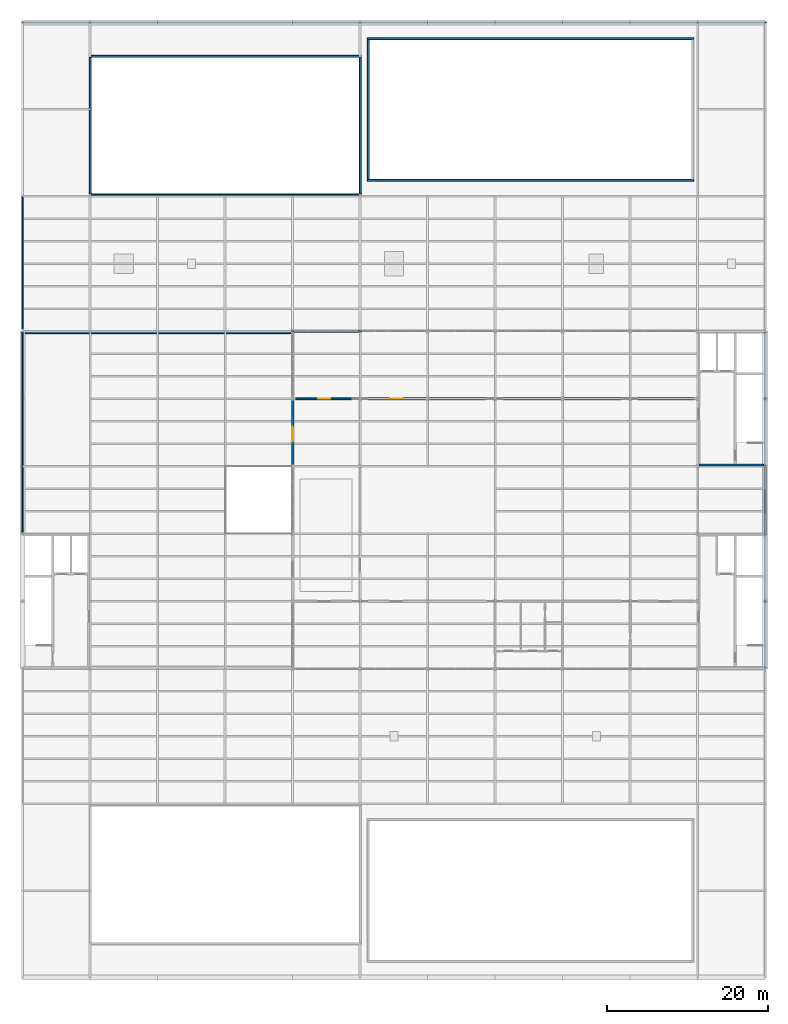
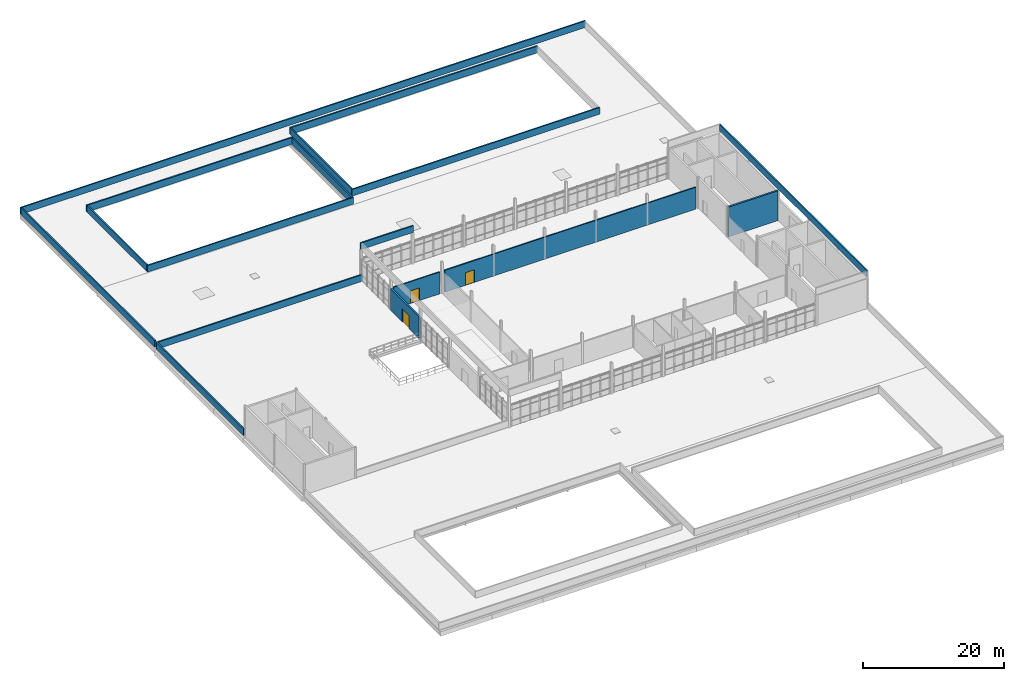
# One storey, part 31 of 33: 17 walls, 3 doors, 3 openings.
"""IFC4 building model written with IfcOpenShell, lengths in metres."""

from ifc_helpers import new_model, si_unit, direction, frame, frame_2d, origin, place, context, subcontext, project, spatial, rectangle, extrude, material, layer, layer_set, type_object, element, fill, save


model = new_model("IFC4")

# Units and contexts
model_context = context("Model", 3, precision=1e-05, world=origin(), true_north=direction((0.0, 1.0)))
body_context = subcontext(model_context, "Body", "Model", "MODEL_VIEW")
ifc_project = project(units=[si_unit("LENGTHUNIT", "METRE"), si_unit("AREAUNIT", "SQUARE_METRE"), si_unit("VOLUMEUNIT", "CUBIC_METRE"), si_unit("PLANEANGLEUNIT", "RADIAN"), si_unit("MASSUNIT", "GRAM", prefix="KILO"), si_unit("THERMODYNAMICTEMPERATUREUNIT", "KELVIN"), si_unit("POWERUNIT", "WATT")], contexts=[model_context])

# Site, building, storey
site_placement = place(None, origin())
site = spatial("IfcSite", under=ifc_project, at=site_placement, CompositionType="ELEMENT")
building_placement = place(site_placement, origin())
building = spatial("IfcBuilding", under=site, at=building_placement, Name="Tembeka Court Mobility Hub", CompositionType="ELEMENT")
storey_placement = place(building_placement, frame((0.0, 0.0, 23.39990234375)))
storey = spatial("IfcBuildingStorey", under=building, at=storey_placement, Name="L06", CompositionType="ELEMENT", Elevation=23.39990234375)

# Wall, opening, door
ifc_material_1 = material(Name="Precast concrete C45/55", Category="concrete")
ifc_layer_1 = layer(ifc_material_1, 0.280029296875)
ifc_layer_set_1 = layer_set([ifc_layer_1], Name="Precast concrete C45/55")
wall_type_1 = type_object("IfcWallType", Name="WL-EW02", PredefinedType="STANDARD", material=ifc_layer_set_1)
wall_1_placement = place(storey_placement, frame((33.60009765625, 63.758544921875, 0.0), z_axis=(0.0, 0.0, 1.0), x_axis=(0.0, 1.0, 0.0)))
wall_1 = element("IfcWall", 1, at=wall_1_placement, inside=storey, type_object=wall_type_1, Name="External wall EW02 (EW-L06-0110)", PredefinedType="STANDARD", context=body_context, shape_type="SweptSolid", body=[
    extrude(rectangle(XDim=8.0830078125, YDim=0.280029296875, at=frame_2d((4.04150390625, 0.0))), origin(), (0.0, 0.0, 1.0), 3.795166015625),
])
opening_1_placement = place(wall_1_placement, frame((2.89990234375, 0.0, 0.0)))
opening_1 = element("IfcOpeningElement", 2, at=opening_1_placement, cuts=wall_1, Name="Opening ED04", PredefinedType="OPENING", context=body_context, shape_type="SweptSolid", body=[
    extrude(rectangle(XDim=1.85009765625, YDim=2.300048828125, at=frame_2d((0.925048828125, 1.14990234375))), frame((0.0, 0.14990234375, 0.0), z_axis=(0.0, -1.0, 0.0), x_axis=(1.0, 0.0, 0.0)), (0.0, 0.0, 1.0), 0.300048828125),
])
ifc_material_2 = material(Name="Powder-coated aluminium glazed doorset", Category="aluminium")
door_type_1 = type_object("IfcDoorType", Name="DR-ED04", OperationType="NOTDEFINED", PredefinedType="DOOR", material=ifc_material_2)
door_1_placement = place(opening_1_placement, origin())
door_1 = element("IfcDoor", 3, at=door_1_placement, inside=storey, type_object=door_type_1, Name="L06 sports viewing terrace North door ED04-B", OperationType="DOUBLE_DOOR_SINGLE_SWING", OverallHeight=2.300048828125, OverallWidth=1.85009765625, PredefinedType="DOOR", context=body_context, shape_type="SweptSolid", body=[
    extrude(rectangle(XDim=1.85009765625, YDim=2.300048828125, at=frame_2d((0.925048828125, 1.14990234375))), frame((0.0, 0.02490234375, 0.0), z_axis=(0.0, -1.0, 0.0), x_axis=(1.0, 0.0, 0.0)), (0.0, 0.0, 1.0), 0.050048828125),
])
fill(opening_1, door_1)

ifc_material_3 = material(Name="Concrete blockwork masonry", Category="masonry")
ifc_layer_2 = layer(ifc_material_3, 0.199951171875)
ifc_layer_set_2 = layer_set([ifc_layer_2], Name="Concrete blockwork masonry")
wall_type_2 = type_object("IfcWallType", Name="WL-IW02", PredefinedType="PARTITIONING", material=ifc_layer_set_2)
wall_2_placement = place(storey_placement, frame((34.0, 72.0, 0.0), z_axis=(0.0, 0.0, 1.0), x_axis=(1.0, 0.0, 0.0)))
wall_2 = element("IfcWall", 4, at=wall_2_placement, inside=storey, type_object=wall_type_2, Name="Wall IW02 (IW-L06-0488)", PredefinedType="PARTITIONING", context=body_context, shape_type="SweptSolid", body=[
    extrude(rectangle(XDim=7.60009765625, YDim=0.199951171875, at=frame_2d((3.800048828125, 0.0))), origin(), (0.0, 0.0, 1.0), 3.78515625),
])
opening_2_placement = place(wall_2_placement, frame((2.800048828125, 0.0, 0.0)))
opening_2 = element("IfcOpeningElement", 5, at=opening_2_placement, cuts=wall_2, Name="Opening ID06", PredefinedType="OPENING", context=body_context, shape_type="SweptSolid", body=[
    extrude(rectangle(XDim=1.449951171875, YDim=2.199951171875, at=frame_2d((0.72509765625, 1.10009765625))), frame((0.0, 0.10986328125, 0.0), z_axis=(0.0, -1.0, 0.0), x_axis=(1.0, 0.0, 0.0)), (0.0, 0.0, 1.0), 0.219970703125),
])
door_type_2 = type_object("IfcDoorType", Name="DR-ID06", OperationType="NOTDEFINED", PredefinedType="DOOR", material=ifc_material_2)
door_2_placement = place(opening_2_placement, origin())
door_2 = element("IfcDoor", 6, at=door_2_placement, inside=storey, type_object=door_type_2, Name="Door ID06-0258", OperationType="DOUBLE_DOOR_SINGLE_SWING", OverallHeight=2.199951171875, OverallWidth=1.449951171875, PredefinedType="DOOR", context=body_context, shape_type="SweptSolid", body=[
    extrude(rectangle(XDim=1.449951171875, YDim=2.199951171875, at=frame_2d((0.72509765625, 1.10009765625))), frame((0.0, 0.02490234375, 0.0), z_axis=(0.0, -1.0, 0.0), x_axis=(1.0, 0.0, 0.0)), (0.0, 0.0, 1.0), 0.050048828125),
])
fill(opening_2, door_2)

wall_3_placement = place(storey_placement, frame((42.39990234375, 72.0, 0.0), z_axis=(0.0, 0.0, 1.0), x_axis=(1.0, 0.0, 0.0)))
wall_3 = element("IfcWall", 7, at=wall_3_placement, inside=storey, type_object=wall_type_2, Name="Wall IW02 (IW-L06-0489)", PredefinedType="PARTITIONING", context=body_context, shape_type="SweptSolid", body=[
    extrude(rectangle(XDim=41.2001953125, YDim=0.199951171875, at=frame_2d((20.60009765625, 0.0))), origin(), (0.0, 0.0, 1.0), 3.78515625),
])
opening_3_placement = place(wall_3_placement, frame((3.39990234375, 0.0, 0.0)))
opening_3 = element("IfcOpeningElement", 8, at=opening_3_placement, cuts=wall_3, Name="Opening ID06", PredefinedType="OPENING", context=body_context, shape_type="SweptSolid", body=[
    extrude(rectangle(XDim=1.449951171875, YDim=2.199951171875, at=frame_2d((0.72509765625, 1.10009765625))), frame((0.0, 0.10986328125, 0.0), z_axis=(0.0, -1.0, 0.0), x_axis=(1.0, 0.0, 0.0)), (0.0, 0.0, 1.0), 0.219970703125),
])
door_3_placement = place(opening_3_placement, origin())
door_3 = element("IfcDoor", 9, at=door_3_placement, inside=storey, type_object=door_type_2, Name="Door ID06-0259", OperationType="DOUBLE_DOOR_SINGLE_SWING", OverallHeight=2.199951171875, OverallWidth=1.449951171875, PredefinedType="DOOR", context=body_context, shape_type="SweptSolid", body=[
    extrude(rectangle(XDim=1.449951171875, YDim=2.199951171875, at=frame_2d((0.72509765625, 1.10009765625))), frame((0.0, 0.02490234375, 0.0), z_axis=(0.0, -1.0, 0.0), x_axis=(1.0, 0.0, 0.0)), (0.0, 0.0, 1.0), 0.050048828125),
])
fill(opening_3, door_3)

# Walls
ifc_layer_3 = layer(ifc_material_1, 0.219970703125)
ifc_layer_set_3 = layer_set([ifc_layer_3], Name="Precast concrete C45/55")
wall_type_3 = type_object("IfcWallType", Name="WL-PP01", PredefinedType="PARAPET", material=ifc_layer_set_3)
wall_4_placement = place(storey_placement, frame((-0.110107421875, 118.800048828125, 0.0), z_axis=(0.0, 0.0, 1.0), x_axis=(1.0, 0.0, 0.0)))
element("IfcWall", 10, at=wall_4_placement, inside=storey, type_object=wall_type_3, Name="Roof parapet wall PP01-12", PredefinedType="PARAPET", context=body_context, shape_type="SweptSolid", body=[
    extrude(rectangle(XDim=92.6201171875, YDim=0.219970703125, at=frame_2d((46.31005859375, 0.0))), origin(), (0.0, 0.0, 1.0), 1.150146484375),
])
wall_5_placement = place(storey_placement, frame((0.0, 80.715087890625, 0.0), z_axis=(0.0, 0.0, 1.0), x_axis=(0.0, 1.0, 0.0)))
element("IfcWall", 11, at=wall_5_placement, inside=storey, type_object=wall_type_3, Name="Roof parapet wall PP01-14", PredefinedType="PARAPET", context=body_context, shape_type="SweptSolid", body=[
    extrude(rectangle(XDim=37.969970703125, YDim=0.219970703125, at=frame_2d((18.98486328125, 0.0))), origin(), (0.0, 0.0, 1.0), 1.150146484375),
])
wall_6_placement = place(storey_placement, frame((0.0, 55.4150390625, 0.0), z_axis=(0.0, 0.0, 1.0), x_axis=(0.0, 1.0, 0.0)))
element("IfcWall", 12, at=wall_6_placement, inside=storey, type_object=wall_type_3, Name="Roof parapet wall PP01-15", PredefinedType="PARAPET", context=body_context, shape_type="SweptSolid", body=[
    extrude(rectangle(XDim=24.869873046875, YDim=0.219970703125, at=frame_2d((12.43505859375, 0.0))), origin(), (0.0, 0.0, 1.0), 1.150146484375),
])
wall_7_placement = place(storey_placement, frame((-0.110107421875, 80.219970703125, 0.0), z_axis=(0.0, 0.0, 1.0), x_axis=(1.0, 0.0, 0.0)))
element("IfcWall", 13, at=wall_7_placement, inside=storey, type_object=wall_type_3, Name="Roof parapet wall PP01-17", PredefinedType="PARAPET", context=body_context, shape_type="SweptSolid", body=[
    extrude(rectangle(XDim=33.72021484375, YDim=0.219970703125, at=frame_2d((16.860107421875, 0.0))), origin(), (0.0, 0.0, 1.0), 1.150146484375),
])
wall_8_placement = place(storey_placement, frame((8.2900390625, 97.39990234375, 0.0), z_axis=(0.0, 0.0, 1.0), x_axis=(1.0, 0.0, 0.0)))
element("IfcWall", 14, at=wall_8_placement, inside=storey, type_object=wall_type_3, Name="Roof parapet wall PP01-26", PredefinedType="PARAPET", context=body_context, shape_type="SweptSolid", body=[
    extrude(rectangle(XDim=33.820068359375, YDim=0.219970703125, at=frame_2d((16.91015625, 0.0))), origin(), (0.0, 0.0, 1.0), 1.150146484375),
])
wall_9_placement = place(storey_placement, frame((42.0, 97.514892578125, 0.0), z_axis=(0.0, 0.0, 1.0), x_axis=(0.0, 1.0, 0.0)))
element("IfcWall", 15, at=wall_9_placement, inside=storey, type_object=wall_type_3, Name="Roof parapet wall PP01-27", PredefinedType="PARAPET", context=body_context, shape_type="SweptSolid", body=[
    extrude(rectangle(XDim=16.97021484375, YDim=0.219970703125, at=frame_2d((8.485107421875, 0.0))), origin(), (0.0, 0.0, 1.0), 1.150146484375),
])
wall_10_placement = place(storey_placement, frame((42.110107421875, 114.60009765625, 0.0), z_axis=(0.0, 0.0, 1.0), x_axis=(-1.0, 0.0, 0.0)))
element("IfcWall", 16, at=wall_10_placement, inside=storey, type_object=wall_type_3, Name="Roof parapet wall PP01-28", PredefinedType="PARAPET", context=body_context, shape_type="SweptSolid", body=[
    extrude(rectangle(XDim=33.820068359375, YDim=0.219970703125, at=frame_2d((16.91015625, 0.0))), origin(), (0.0, 0.0, 1.0), 1.150146484375),
])
wall_11_placement = place(storey_placement, frame((8.39990234375, 114.485107421875, 0.0), z_axis=(0.0, 0.0, 1.0), x_axis=(0.0, -1.0, 0.0)))
element("IfcWall", 17, at=wall_11_placement, inside=storey, type_object=wall_type_3, Name="Roof parapet wall PP01-29", PredefinedType="PARAPET", context=body_context, shape_type="SweptSolid", body=[
    extrude(rectangle(XDim=16.97021484375, YDim=0.219970703125, at=frame_2d((8.485107421875, 0.0))), origin(), (0.0, 0.0, 1.0), 1.150146484375),
])
for number, where, z_axis, x_axis, name in (
    (18, (42.889892578125, 99.199951171875, 0.0), (0.0, 0.0, 1.0), (1.0, 0.0, 0.0), "Roof parapet wall PP01-30"),
    (19, (83.510009765625, 116.800048828125, 0.0), (0.0, 0.0, 1.0), (-1.0, 0.0, 0.0), "Roof parapet wall PP01-32"),
):
    element("IfcWall", number, at=place(storey_placement, frame(where, z_axis=z_axis, x_axis=x_axis)), inside=storey, type_object=wall_type_3, Name=name, PredefinedType="PARAPET", context=body_context, shape_type="SweptSolid", body=[
        extrude(rectangle(XDim=40.6201171875, YDim=0.219970703125, at=frame_2d((20.31005859375, 0.0))), origin(), (0.0, 0.0, 1.0), 1.150146484375),
    ])
wall_12_placement = place(storey_placement, frame((43.0, 116.68505859375, 0.0), z_axis=(0.0, 0.0, 1.0), x_axis=(0.0, -1.0, 0.0)))
element("IfcWall", 20, at=wall_12_placement, inside=storey, type_object=wall_type_3, Name="Roof parapet wall PP01-33", PredefinedType="PARAPET", context=body_context, shape_type="SweptSolid", body=[
    extrude(rectangle(XDim=17.3701171875, YDim=0.219970703125, at=frame_2d((8.68505859375, 0.0))), origin(), (0.0, 0.0, 1.0), 1.150146484375),
])
wall_13_placement = place(storey_placement, frame((33.489990234375, 80.39990234375, 5.400146484375), z_axis=(0.0, 0.0, 1.0), x_axis=(1.0, 0.0, 0.0)))
element("IfcWall", 21, at=wall_13_placement, inside=storey, type_object=wall_type_3, Name="Roof parapet wall PP01-35", PredefinedType="PARAPET", context=body_context, shape_type="SweptSolid", body=[
    extrude(rectangle(XDim=8.6201171875, YDim=0.219970703125, at=frame_2d((4.31005859375, 0.0))), origin(), (0.0, 0.0, 1.0), 1.14990234375),
])
wall_14_placement = place(storey_placement, frame((92.39990234375, 38.514892578125, 5.400146484375), z_axis=(0.0, 0.0, 1.0), x_axis=(0.0, 1.0, 0.0)))
element("IfcWall", 22, at=wall_14_placement, inside=storey, type_object=wall_type_3, Name="Roof parapet wall PP01-39", PredefinedType="PARAPET", context=body_context, shape_type="SweptSolid", body=[
    extrude(rectangle(XDim=41.77001953125, YDim=0.219970703125, at=frame_2d((20.885009765625, 0.0))), origin(), (0.0, 0.0, 1.0), 1.14990234375),
])
ifc_material_4 = material(Name="Concrete C40/50", Category="concrete")
ifc_layer_4 = layer(ifc_material_4, 0.300048828125)
ifc_layer_set_4 = layer_set([ifc_layer_4], Name="Concrete C40/50")
wall_type_4 = type_object("IfcWallType", Name="WL-SW01", PredefinedType="SHEAR", material=ifc_layer_set_4)
wall_15_placement = place(storey_placement, frame((84.152587890625, 63.75, 0.0), z_axis=(0.0, 0.0, 1.0), x_axis=(1.0, 0.0, 0.0)))
element("IfcWall", 23, at=wall_15_placement, inside=storey, type_object=wall_type_4, Name="Wall SW01 (IW-L06-0121)", PredefinedType="SHEAR", context=body_context, shape_type="SweptSolid", body=[
    extrude(rectangle(XDim=8.121337890625, YDim=0.300048828125, at=frame_2d((4.060546875, 0.0))), origin(), (0.0, 0.0, 1.0), 5.170166015625),
])

save(model, "model.ifc")
